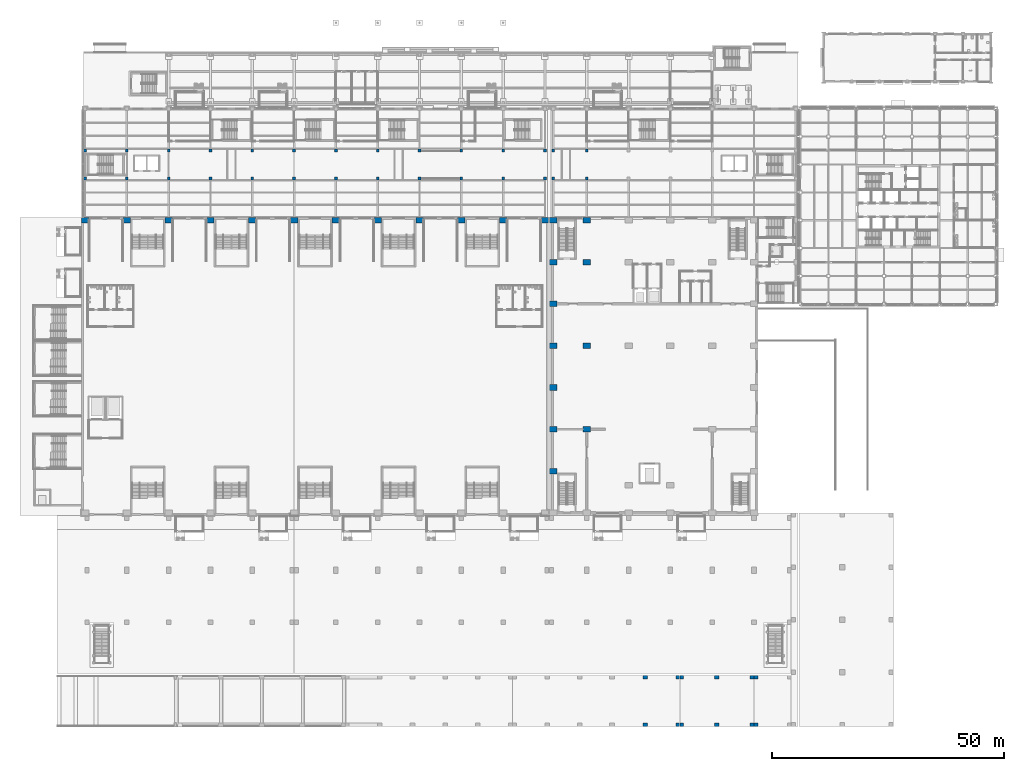
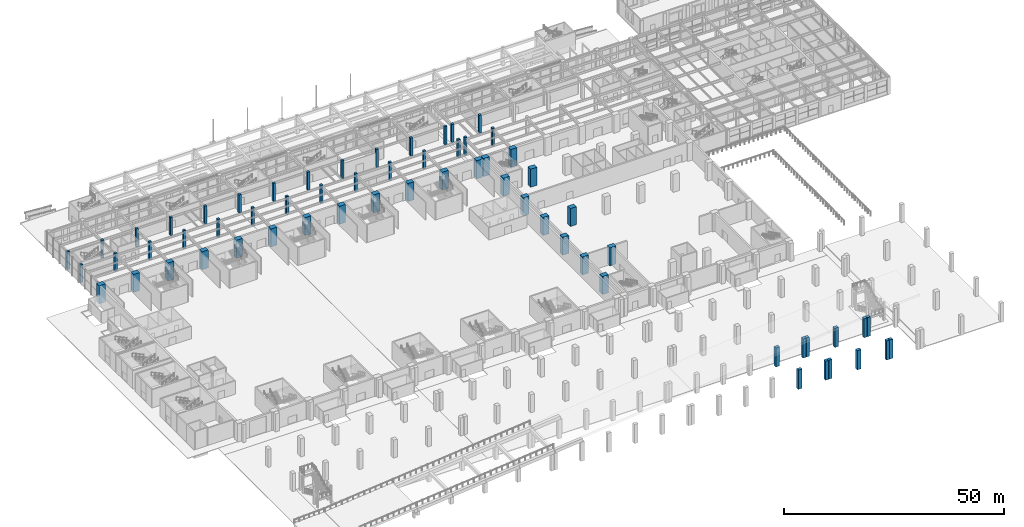
# One storey, part 4 of 77: 63 columns.
"""IFC4 building model written with IfcOpenShell, lengths in metres."""

from ifc_helpers import new_model, si_unit, direction, frame, origin, origin_2d, place, context, subcontext, project, spatial, rectangle, extrude, material, material_profile, profile_set, type_object, element, save


model = new_model("IFC4")

# Units and contexts
model_context = context("Model", 3, precision=1e-05, world=origin(), true_north=direction((0.0, 1.0)))
body_context = subcontext(model_context, "Body", "Model", "MODEL_VIEW")
ifc_project = project(units=[si_unit("LENGTHUNIT", "METRE"), si_unit("AREAUNIT", "SQUARE_METRE"), si_unit("VOLUMEUNIT", "CUBIC_METRE"), si_unit("PLANEANGLEUNIT", "RADIAN"), si_unit("MASSUNIT", "GRAM", prefix="KILO")], contexts=[model_context])

# Site, building, storey
site_placement = place(None, origin())
site = spatial("IfcSite", under=ifc_project, at=site_placement, CompositionType="ELEMENT")
building_placement = place(site_placement, origin())
building = spatial("IfcBuilding", under=site, at=building_placement, Name="Aravalli Gate Trade Fair Centre", CompositionType="ELEMENT")
storey_placement = place(building_placement, origin())
storey = spatial("IfcBuildingStorey", under=building, at=storey_placement, Name="L00", CompositionType="ELEMENT", Elevation=0.0)

# Columns
ifc_material = material(Name="Concrete M45", Category="concrete")
ifc_material_profile_1 = material_profile(ifc_material, rectangle(XDim=1.60009765625, YDim=1.199951171875, at=origin_2d()), Name="RC 1600x1200")
ifc_profile_set_1 = profile_set([ifc_material_profile_1], Name="Concrete M45")
column_type_1 = type_object("IfcColumnType", Name="Congress RC column 1600 x 1200", PredefinedType="COLUMN", material=ifc_profile_set_1)
for number, where, z_axis, x_axis, name in (
    (1, (106.800048828125, 55.0, 0.0), (0.0, 0.0, 1.0), (1.0, 0.0, 0.0), "Congress column 106.8/55 L00"),
    (2, (106.800048828125, 64.0, 0.0), (0.0, 0.0, 1.0), (1.0, 0.0, 0.0), "Congress column 106.8/64 L00"),
    (3, (106.800048828125, 73.0, 0.0), (0.0, 0.0, 1.0), (1.0, 0.0, 0.0), "Congress column 106.8/73 L00"),
    (4, (106.800048828125, 82.0, 0.0), (0.0, 0.0, 1.0), (1.0, 0.0, 0.0), "Congress column 106.8/82 L00"),
    (5, (106.800048828125, 91.0, 0.0), (0.0, 0.0, 1.0), (1.0, 0.0, 0.0), "Congress column 106.8/91 L00"),
    (6, (106.800048828125, 100.0, 0.0), (0.0, 0.0, 1.0), (1.0, 0.0, 0.0), "Congress column 106.8/100 L00"),
    (7, (106.800048828125, 109.0, 0.0), (0.0, 0.0, 1.0), (1.0, 0.0, 0.0), "Congress column 106.8/109 L00"),
    (8, (114.0, 109.0, 0.0), (0.0, 0.0, 1.0), (1.0, 0.0, 0.0), "Congress column 114.0/109 L00"),
):
    element("IfcColumn", number, at=place(storey_placement, frame(where, z_axis=z_axis, x_axis=x_axis)), inside=storey, type_object=column_type_1, Name=name, PredefinedType="COLUMN", context=body_context, shape_type="SweptSolid", body=[
        extrude(rectangle(XDim=1.60009765625, YDim=1.199951171875, at=origin_2d()), origin(), (0.0, 0.0, 1.0), 5.0),
    ])
ifc_material_profile_2 = material_profile(ifc_material, rectangle(XDim=1.60009765625, YDim=1.199951171875, at=origin_2d()), Name="RC 1600x1200")
ifc_profile_set_2 = profile_set([ifc_material_profile_2], Name="Concrete M45")
column_type_2 = type_object("IfcColumnType", Name="Congress RC column 1600 x 1200, heavy stack", PredefinedType="COLUMN", material=ifc_profile_set_2)
for number, where, z_axis, x_axis, name in (
    (9, (114.0, 64.0, 0.0), (0.0, 0.0, 1.0), (1.0, 0.0, 0.0), "Congress column 114.0/64 L00"),
    (10, (114.0, 82.0, 0.0), (0.0, 0.0, 1.0), (1.0, 0.0, 0.0), "Congress column 114.0/82 L00"),
    (11, (114.0, 100.0, 0.0), (0.0, 0.0, 1.0), (1.0, 0.0, 0.0), "Congress column 114.0/100 L00"),
):
    element("IfcColumn", number, at=place(storey_placement, frame(where, z_axis=z_axis, x_axis=x_axis)), inside=storey, type_object=column_type_2, Name=name, PredefinedType="COLUMN", context=body_context, shape_type="SweptSolid", body=[
        extrude(rectangle(XDim=1.60009765625, YDim=1.199951171875, at=origin_2d()), origin(), (0.0, 0.0, 1.0), 5.0),
    ])
ifc_material_profile_3 = material_profile(ifc_material, rectangle(XDim=1.60009765625, YDim=1.199951171875, at=origin_2d()), Name="RC 1600x1200")
ifc_profile_set_3 = profile_set([ifc_material_profile_3], Name="Concrete M45")
column_type_3 = type_object("IfcColumnType", Name="Hall end-line spine column HC2", PredefinedType="COLUMN", material=ifc_profile_set_3)
for number, where, z_axis, x_axis, name in (
    (12, (6.0, 109.0, 0.0), (0.0, 0.0, 1.0), (1.0, 0.0, 0.0), "Spine column H1 L00"),
    (13, (105.0, 109.0, 0.0), (0.0, 0.0, 1.0), (1.0, 0.0, 0.0), "Spine column H12 L00"),
):
    element("IfcColumn", number, at=place(storey_placement, frame(where, z_axis=z_axis, x_axis=x_axis)), inside=storey, type_object=column_type_3, Name=name, PredefinedType="COLUMN", context=body_context, shape_type="SweptSolid", body=[
        extrude(rectangle(XDim=1.60009765625, YDim=1.199951171875, at=origin_2d()), origin(), (0.0, 0.0, 1.0), 5.0),
    ])
ifc_material_profile_4 = material_profile(ifc_material, rectangle(XDim=1.60009765625, YDim=1.199951171875, at=origin_2d()), Name="RC 1600x1200")
ifc_profile_set_4 = profile_set([ifc_material_profile_4], Name="Concrete M45")
column_type_4 = type_object("IfcColumnType", Name="Hall spine column HC1", PredefinedType="COLUMN", material=ifc_profile_set_4)
for number, where, z_axis, x_axis, name in (
    (14, (15.0, 109.0, 0.0), (0.0, 0.0, 1.0), (1.0, 0.0, 0.0), "Spine column H2 L00"),
    (15, (24.0, 109.0, 0.0), (0.0, 0.0, 1.0), (1.0, 0.0, 0.0), "Spine column H3 L00"),
    (16, (33.0, 109.0, 0.0), (0.0, 0.0, 1.0), (1.0, 0.0, 0.0), "Spine column H4 L00"),
    (17, (42.0, 109.0, 0.0), (0.0, 0.0, 1.0), (1.0, 0.0, 0.0), "Spine column H5 L00"),
    (18, (51.0, 109.0, 0.0), (0.0, 0.0, 1.0), (1.0, 0.0, 0.0), "Spine column H6 L00"),
    (19, (60.0, 109.0, 0.0), (0.0, 0.0, 1.0), (1.0, 0.0, 0.0), "Spine column H7 L00"),
    (20, (69.0, 109.0, 0.0), (0.0, 0.0, 1.0), (1.0, 0.0, 0.0), "Spine column H8 L00"),
    (21, (78.0, 109.0, 0.0), (0.0, 0.0, 1.0), (1.0, 0.0, 0.0), "Spine column H9 L00"),
    (22, (87.0, 109.0, 0.0), (0.0, 0.0, 1.0), (1.0, 0.0, 0.0), "Spine column H10 L00"),
    (23, (96.0, 109.0, 0.0), (0.0, 0.0, 1.0), (1.0, 0.0, 0.0), "Spine column H11 L00"),
):
    element("IfcColumn", number, at=place(storey_placement, frame(where, z_axis=z_axis, x_axis=x_axis)), inside=storey, type_object=column_type_4, Name=name, PredefinedType="COLUMN", context=body_context, shape_type="SweptSolid", body=[
        extrude(rectangle(XDim=1.60009765625, YDim=1.199951171875, at=origin_2d()), origin(), (0.0, 0.0, 1.0), 5.0),
    ])
ifc_material_profile_5 = material_profile(ifc_material, rectangle(XDim=0.60009765625, YDim=0.60009765625, at=origin_2d()), Name="RC column 600 x 600")
ifc_profile_set_5 = profile_set([ifc_material_profile_5], Name="Concrete M45")
column_type_5 = type_object("IfcColumnType", Name="RC column 600 x 600", PredefinedType="COLUMN", material=ifc_profile_set_5)
for number, where, z_axis, x_axis, name in (
    (24, (6.0, 118.0, 0.0), (0.0, 0.0, 1.0), (1.0, 0.0, 0.0), "Concourse column S01 L00"),
    (25, (6.0, 124.0, 0.0), (0.0, 0.0, 1.0), (1.0, 0.0, 0.0), "Concourse column N01 L00"),
    (26, (15.0, 118.0, 0.0), (0.0, 0.0, 1.0), (1.0, 0.0, 0.0), "Concourse column S02 L00"),
    (27, (15.0, 124.0, 0.0), (0.0, 0.0, 1.0), (1.0, 0.0, 0.0), "Concourse column N02 L00"),
    (28, (24.0, 118.0, 0.0), (0.0, 0.0, 1.0), (1.0, 0.0, 0.0), "Concourse column S03 L00"),
    (29, (24.0, 124.0, 0.0), (0.0, 0.0, 1.0), (1.0, 0.0, 0.0), "Concourse column N03 L00"),
    (30, (33.0, 118.0, 0.0), (0.0, 0.0, 1.0), (1.0, 0.0, 0.0), "Concourse column S04 L00"),
    (31, (33.0, 124.0, 0.0), (0.0, 0.0, 1.0), (1.0, 0.0, 0.0), "Concourse column N04 L00"),
    (32, (42.0, 118.0, 0.0), (0.0, 0.0, 1.0), (1.0, 0.0, 0.0), "Concourse column S05 L00"),
    (33, (42.0, 124.0, 0.0), (0.0, 0.0, 1.0), (1.0, 0.0, 0.0), "Concourse column N05 L00"),
    (34, (51.0, 118.0, 0.0), (0.0, 0.0, 1.0), (1.0, 0.0, 0.0), "Concourse column S06 L00"),
    (35, (51.0, 124.0, 0.0), (0.0, 0.0, 1.0), (1.0, 0.0, 0.0), "Concourse column N06 L00"),
    (36, (60.0, 118.0, 0.0), (0.0, 0.0, 1.0), (1.0, 0.0, 0.0), "Concourse column S07 L00"),
    (37, (60.0, 124.0, 0.0), (0.0, 0.0, 1.0), (1.0, 0.0, 0.0), "Concourse column N07 L00"),
    (38, (69.0, 118.0, 0.0), (0.0, 0.0, 1.0), (1.0, 0.0, 0.0), "Concourse column S08 L00"),
    (39, (69.0, 124.0, 0.0), (0.0, 0.0, 1.0), (1.0, 0.0, 0.0), "Concourse column N08 L00"),
    (40, (78.0, 118.0, 0.0), (0.0, 0.0, 1.0), (1.0, 0.0, 0.0), "Concourse column S09 L00"),
    (41, (78.0, 124.0, 0.0), (0.0, 0.0, 1.0), (1.0, 0.0, 0.0), "Concourse column N09 L00"),
    (42, (87.0, 118.0, 0.0), (0.0, 0.0, 1.0), (1.0, 0.0, 0.0), "Concourse column S10 L00"),
    (43, (87.0, 124.0, 0.0), (0.0, 0.0, 1.0), (1.0, 0.0, 0.0), "Concourse column N10 L00"),
    (44, (96.0, 118.0, 0.0), (0.0, 0.0, 1.0), (1.0, 0.0, 0.0), "Concourse column S11 L00"),
    (45, (96.0, 124.0, 0.0), (0.0, 0.0, 1.0), (1.0, 0.0, 0.0), "Concourse column N11 L00"),
    (46, (105.0, 118.0, 0.0), (0.0, 0.0, 1.0), (1.0, 0.0, 0.0), "Concourse column S12 L00"),
    (47, (105.0, 124.0, 0.0), (0.0, 0.0, 1.0), (1.0, 0.0, 0.0), "Concourse column N12 L00"),
    (48, (106.800048828125, 118.0, 0.0), (0.0, 0.0, 1.0), (1.0, 0.0, 0.0), "Concourse column S12A L00"),
    (49, (106.800048828125, 124.0, 0.0), (0.0, 0.0, 1.0), (1.0, 0.0, 0.0), "Concourse column N12A L00"),
    (50, (114.0, 118.0, 0.0), (0.0, 0.0, 1.0), (1.0, 0.0, 0.0), "Concourse column S13 L00"),
    (51, (114.0, 124.0, 0.0), (0.0, 0.0, 1.0), (1.0, 0.0, 0.0), "Concourse column N13 L00"),
):
    element("IfcColumn", number, at=place(storey_placement, frame(where, z_axis=z_axis, x_axis=x_axis)), inside=storey, type_object=column_type_5, Name=name, PredefinedType="COLUMN", context=body_context, shape_type="SweptSolid", body=[
        extrude(rectangle(XDim=0.60009765625, YDim=0.60009765625, at=origin_2d()), origin(), (0.0, 0.0, 1.0), 5.0),
    ])
ifc_material_profile_6 = material_profile(ifc_material, rectangle(XDim=1.0, YDim=0.800048828125, at=origin_2d()), Name="Ramp column RC 1000 x 800")
ifc_profile_set_6 = profile_set([ifc_material_profile_6], Name="Concrete M45")
column_type_6 = type_object("IfcColumnType", Name="Ramp column RC 1000 x 800", PredefinedType="COLUMN", material=ifc_profile_set_6)
for number, where, z_axis, x_axis, name in (
    (52, (126.548095703125, 0.39990234375, -0.300048828125), (0.0, 0.0, 1.0), (1.0, 0.0, 0.0), "Ramp column col.ramp.RA1-F2.4.5S L00"),
    (53, (126.548095703125, 10.60009765625, -0.300048828125), (0.0, 0.0, 1.0), (1.0, 0.0, 0.0), "Ramp column col.ramp.RA1-F2.4.5N L00"),
    (54, (142.0, 0.39990234375, -0.300048828125), (0.0, 0.0, 1.0), (1.0, 0.0, 0.0), "Ramp column col.ramp.RA1-F2.5.2S L00"),
    (55, (142.0, 10.60009765625, -0.300048828125), (0.0, 0.0, 1.0), (1.0, 0.0, 0.0), "Ramp column col.ramp.RA1-F2.5.2N L00"),
):
    element("IfcColumn", number, at=place(storey_placement, frame(where, z_axis=z_axis, x_axis=x_axis)), inside=storey, type_object=column_type_6, Name=name, PredefinedType="COLUMN", context=body_context, shape_type="SweptSolid", body=[
        extrude(rectangle(XDim=1.0, YDim=0.800048828125, at=origin_2d()), origin(), (0.0, 0.0, 1.0), 5.300048828125),
    ])
ifc_material_profile_7 = material_profile(ifc_material, rectangle(XDim=0.800048828125, YDim=0.800048828125, at=origin_2d()), Name="Ramp column RC 800 x 800")
ifc_profile_set_7 = profile_set([ifc_material_profile_7], Name="Concrete M45")
column_type_7 = type_object("IfcColumnType", Name="Ramp column RC 800 x 800", PredefinedType="COLUMN", material=ifc_profile_set_7)
for number, where, z_axis, x_axis, name in (
    (56, (133.580078125, 0.39990234375, -0.300048828125), (0.0, 0.0, 1.0), (1.0, 0.0, 0.0), "Ramp column col.ramp.RA1-F2.4.6S L00"),
    (57, (133.580078125, 10.60009765625, -0.300048828125), (0.0, 0.0, 1.0), (1.0, 0.0, 0.0), "Ramp column col.ramp.RA1-F2.4.6N L00"),
    (58, (134.419921875, 0.39990234375, -0.300048828125), (0.0, 0.0, 1.0), (1.0, 0.0, 0.0), "Ramp column col.ramp.RA1-F2.5.1S L00"),
    (59, (134.419921875, 10.60009765625, -0.300048828125), (0.0, 0.0, 1.0), (1.0, 0.0, 0.0), "Ramp column col.ramp.RA1-F2.5.1N L00"),
    (60, (149.580078125, 0.39990234375, -0.300048828125), (0.0, 0.0, 1.0), (1.0, 0.0, 0.0), "Ramp column col.ramp.RA1-F2.5.3S L00"),
    (61, (149.580078125, 10.60009765625, -0.300048828125), (0.0, 0.0, 1.0), (1.0, 0.0, 0.0), "Ramp column col.ramp.RA1-F2.5.3N L00"),
    (62, (150.419921875, 0.39990234375, -0.300048828125), (0.0, 0.0, 1.0), (1.0, 0.0, 0.0), "Ramp column col.ramp.RA1-F3.1S L00"),
    (63, (150.419921875, 10.60009765625, -0.300048828125), (0.0, 0.0, 1.0), (1.0, 0.0, 0.0), "Ramp column col.ramp.RA1-F3.1N L00"),
):
    element("IfcColumn", number, at=place(storey_placement, frame(where, z_axis=z_axis, x_axis=x_axis)), inside=storey, type_object=column_type_7, Name=name, PredefinedType="COLUMN", context=body_context, shape_type="SweptSolid", body=[
        extrude(rectangle(XDim=0.800048828125, YDim=0.800048828125, at=origin_2d()), origin(), (0.0, 0.0, 1.0), 5.300048828125),
    ])

save(model, "model.ifc")
